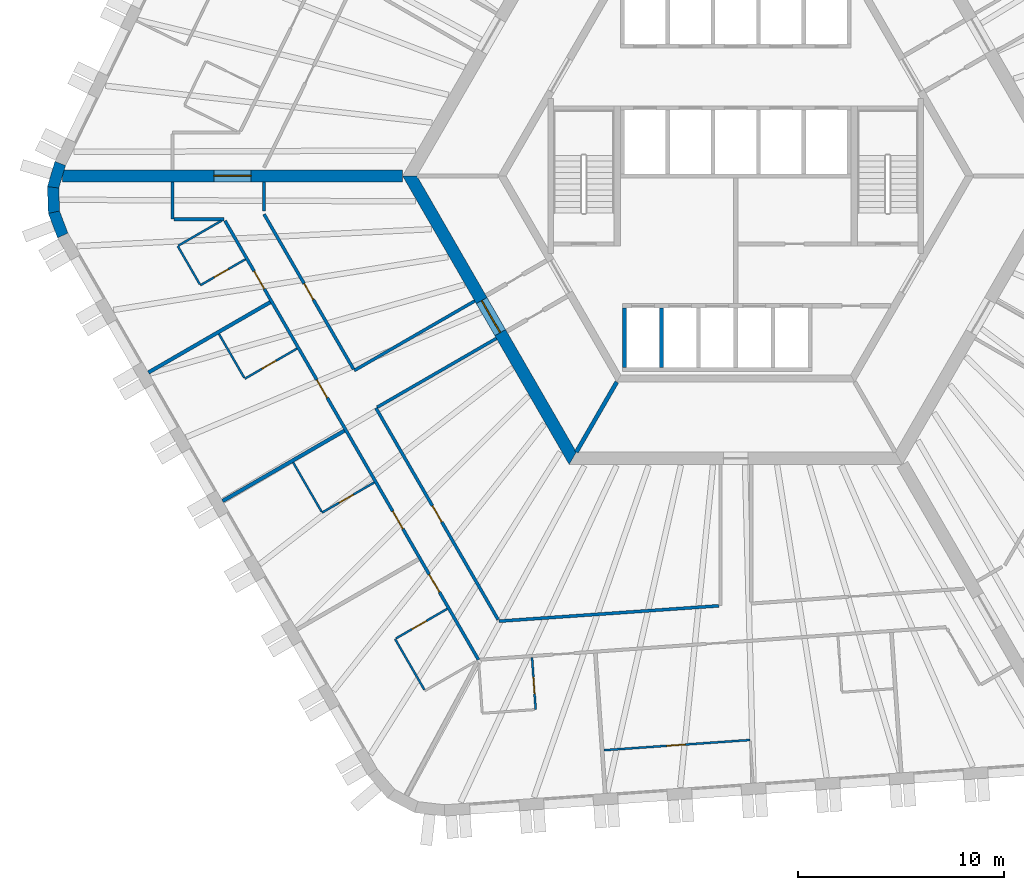
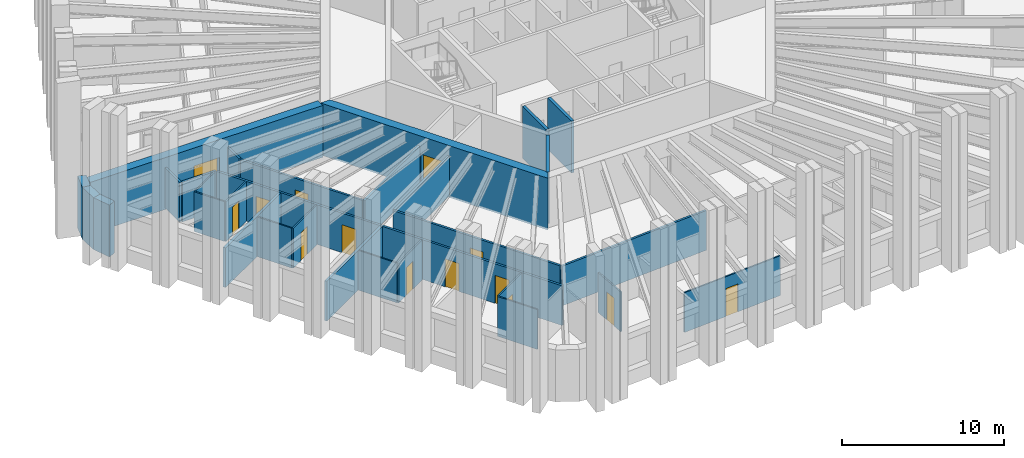
# One storey, part 3 of 12: 30 walls, 14 doors, 14 openings.
"""IFC4 building model written with IfcOpenShell, lengths in metres."""

from ifc_helpers import new_model, si_unit, direction, frame, frame_2d, origin, place, context, subcontext, project, spatial, polyline, rectangle, outline, extrude, material, layer, layer_set, type_object, element, fill, save


model = new_model("IFC4")

# Units and contexts
model_context = context("Model", 3, precision=1e-05, world=origin(), true_north=direction((0.0, 1.0)))
body_context = subcontext(model_context, "Body", "Model", "MODEL_VIEW")
ifc_project = project(units=[si_unit("LENGTHUNIT", "METRE"), si_unit("AREAUNIT", "SQUARE_METRE"), si_unit("VOLUMEUNIT", "CUBIC_METRE"), si_unit("PLANEANGLEUNIT", "RADIAN"), si_unit("MASSUNIT", "GRAM", prefix="KILO")], contexts=[model_context])

# Site, building, storey
site_placement = place(None, origin())
site = spatial("IfcSite", under=ifc_project, at=site_placement, CompositionType="ELEMENT")
building_placement = place(site_placement, origin())
building = spatial("IfcBuilding", under=site, at=building_placement, Name="Tarnside Tower", CompositionType="ELEMENT")
storey_placement = place(building_placement, frame((0.0, 0.0, 49.199951171875)))
storey = spatial("IfcBuildingStorey", under=building, at=storey_placement, Name="L09", CompositionType="ELEMENT", Elevation=49.199951171875)

# Wall, opening, door
ifc_material_1 = material(Name="Gypsum board partition on steel studs", Category="steel")
ifc_layer_1 = layer(ifc_material_1, 0.10009765625)
ifc_layer_set_1 = layer_set([ifc_layer_1], Name="Bathroom wall 100")
wall_type_1 = type_object("IfcWallType", Name="Bathroom wall 100", PredefinedType="PARTITIONING", material=ifc_layer_set_1)
wall_1_placement = place(storey_placement, frame((-23.791015625, -4.042724609375, 0.0), z_axis=(0.0, 0.0, 1.0), x_axis=(-0.866039067339, -0.499976333282, 0.0)))
wall_1 = element("IfcWall", 1, at=wall_1_placement, inside=storey, type_object=wall_type_1, Name="Bathroom wall 02101", PredefinedType="PARTITIONING", context=body_context, shape_type="SweptSolid", body=[
    extrude(rectangle(XDim=2.52490234375, YDim=0.10009765625, at=frame_2d((1.262451171875, 0.0))), origin(), (0.0, 0.0, 1.0), 2.98779296875),
])
opening_1_placement = place(wall_1_placement, frame((0.955078125, 0.0, 0.0)))
opening_1 = element("IfcOpeningElement", 2, at=opening_1_placement, cuts=wall_1, Name="Opening D-B1", PredefinedType="OPENING", context=body_context, shape_type="SweptSolid", body=[
    extrude(rectangle(XDim=0.800048828125, YDim=2.10009765625, at=frame_2d((0.39990234375, 1.050048828125))), frame((0.0, 0.06005859375, 0.0), z_axis=(0.0, -1.0, 0.0), x_axis=(1.0, 0.0, 0.0)), (0.0, 0.0, 1.0), 0.1201171875),
])
ifc_material_2 = material(Name="Timber door leaf", Category="wood")
door_type_1 = type_object("IfcDoorType", Name="Bathroom door 800", OperationType="NOTDEFINED", PredefinedType="DOOR", material=ifc_material_2)
door_1_placement = place(opening_1_placement, origin())
door_1 = element("IfcDoor", 3, at=door_1_placement, inside=storey, type_object=door_type_1, Name="Bathroom door 02015", OperationType="SINGLE_SWING_LEFT", OverallHeight=2.10009765625, OverallWidth=0.800048828125, PredefinedType="DOOR", context=body_context, shape_type="SweptSolid", body=[
    extrude(rectangle(XDim=0.800048828125, YDim=2.10009765625, at=frame_2d((0.39990234375, 1.050048828125))), frame((0.0, 0.02490234375, 0.0), z_axis=(0.0, -1.0, 0.0), x_axis=(1.0, 0.0, 0.0)), (0.0, 0.0, 1.0), 0.050048828125),
])
fill(opening_1, door_1)

# Walls
wall_2_placement = place(storey_placement, frame((-26.002685546875, -5.261962890625, 0.0), z_axis=(0.0, 0.0, 1.0), x_axis=(-0.499961633463, 0.866047553582, 0.0)))
element("IfcWall", 4, at=wall_2_placement, inside=storey, type_object=wall_type_1, Name="Bathroom wall 02102", PredefinedType="PARTITIONING", context=body_context, shape_type="SweptSolid", body=[
    extrude(rectangle(XDim=2.150146484375, YDim=0.10009765625, at=frame_2d((1.0751953125, 0.0))), origin(), (0.0, 0.0, 1.0), 2.98779296875),
])
wall_3_placement = place(storey_placement, frame((-27.034423828125, -3.375, 0.0), z_axis=(0.0, 0.0, 1.0), x_axis=(0.866024647952, 0.500001309137, 0.0)))
element("IfcWall", 5, at=wall_3_placement, inside=storey, type_object=wall_type_1, Name="Bathroom wall 02103", PredefinedType="PARTITIONING", context=body_context, shape_type="SweptSolid", body=[
    extrude(rectangle(XDim=2.39990234375, YDim=0.10009765625, at=frame_2d((1.199951171875, 0.0))), origin(), (0.0, 0.0, 1.0), 2.98779296875),
])

# Wall, opening, door
wall_4_placement = place(storey_placement, frame((-21.288330078125, -8.377685546875, 0.0), z_axis=(0.0, 0.0, 1.0), x_axis=(-0.866046596414, -0.499963291492, 0.0)))
wall_4 = element("IfcWall", 6, at=wall_4_placement, inside=storey, type_object=wall_type_1, Name="Bathroom wall 02106", PredefinedType="PARTITIONING", context=body_context, shape_type="SweptSolid", body=[
    extrude(rectangle(XDim=2.925048828125, YDim=0.10009765625, at=frame_2d((1.46240234375, 0.0))), origin(), (0.0, 0.0, 1.0), 2.98779296875),
])
opening_2_placement = place(wall_4_placement, frame((1.175048828125, 0.0, 0.0)))
opening_2 = element("IfcOpeningElement", 7, at=opening_2_placement, cuts=wall_4, Name="Opening D-B1", PredefinedType="OPENING", context=body_context, shape_type="SweptSolid", body=[
    extrude(rectangle(XDim=0.800048828125, YDim=2.10009765625, at=frame_2d((0.39990234375, 1.050048828125))), frame((0.0, 0.06005859375, 0.0), z_axis=(0.0, -1.0, 0.0), x_axis=(1.0, 0.0, 0.0)), (0.0, 0.0, 1.0), 0.1201171875),
])
door_2_placement = place(opening_2_placement, origin())
door_2 = element("IfcDoor", 8, at=door_2_placement, inside=storey, type_object=door_type_1, Name="Bathroom door 02017", OperationType="SINGLE_SWING_LEFT", OverallHeight=2.10009765625, OverallWidth=0.800048828125, PredefinedType="DOOR", context=body_context, shape_type="SweptSolid", body=[
    extrude(rectangle(XDim=0.800048828125, YDim=2.10009765625, at=frame_2d((0.39990234375, 1.050048828125))), frame((0.0, 0.02490234375, 0.0), z_axis=(0.0, -1.0, 0.0), x_axis=(1.0, 0.0, 0.0)), (0.0, 0.0, 1.0), 0.050048828125),
])
fill(opening_2, door_2)

# Wall
wall_5_placement = place(storey_placement, frame((-23.846435546875, -9.796875, 0.0), z_axis=(0.0, 0.0, 1.0), x_axis=(-0.499960120811, 0.86604842682, 0.0)))
element("IfcWall", 9, at=wall_5_placement, inside=storey, type_object=wall_type_1, Name="Bathroom wall 02107", PredefinedType="PARTITIONING", context=body_context, shape_type="SweptSolid", body=[
    extrude(rectangle(XDim=2.460205078125, YDim=0.10009765625, at=frame_2d((1.22998046875, 0.0))), origin(), (0.0, 0.0, 1.0), 2.98779296875),
])

# Wall, opening, door
wall_6_placement = place(storey_placement, frame((-17.538330078125, -14.872802734375, 0.0), z_axis=(0.0, 0.0, 1.0), x_axis=(-0.866046596414, -0.499963291492, 0.0)))
wall_6 = element("IfcWall", 10, at=wall_6_placement, inside=storey, type_object=wall_type_1, Name="Bathroom wall 02110", PredefinedType="PARTITIONING", context=body_context, shape_type="SweptSolid", body=[
    extrude(rectangle(XDim=2.925048828125, YDim=0.10009765625, at=frame_2d((1.46240234375, 0.0))), origin(), (0.0, 0.0, 1.0), 2.98779296875),
])
opening_3_placement = place(wall_6_placement, frame((1.175048828125, 0.0, 0.0)))
opening_3 = element("IfcOpeningElement", 11, at=opening_3_placement, cuts=wall_6, Name="Opening D-B1", PredefinedType="OPENING", context=body_context, shape_type="SweptSolid", body=[
    extrude(rectangle(XDim=0.800048828125, YDim=2.10009765625, at=frame_2d((0.39990234375, 1.050048828125))), frame((0.0, 0.06005859375, 0.0), z_axis=(0.0, -1.0, 0.0), x_axis=(1.0, 0.0, 0.0)), (0.0, 0.0, 1.0), 0.1201171875),
])
door_3_placement = place(opening_3_placement, origin())
door_3 = element("IfcDoor", 12, at=door_3_placement, inside=storey, type_object=door_type_1, Name="Bathroom door 02019", OperationType="SINGLE_SWING_LEFT", OverallHeight=2.10009765625, OverallWidth=0.800048828125, PredefinedType="DOOR", context=body_context, shape_type="SweptSolid", body=[
    extrude(rectangle(XDim=0.800048828125, YDim=2.10009765625, at=frame_2d((0.39990234375, 1.050048828125))), frame((0.0, 0.02490234375, 0.0), z_axis=(0.0, -1.0, 0.0), x_axis=(1.0, 0.0, 0.0)), (0.0, 0.0, 1.0), 0.050048828125),
])
fill(opening_3, door_3)

# Walls
wall_7_placement = place(storey_placement, frame((-20.096435546875, -16.2919921875, 0.0), z_axis=(0.0, 0.0, 1.0), x_axis=(-0.499982807329, 0.86603532975, 0.0)))
element("IfcWall", 13, at=wall_7_placement, inside=storey, type_object=wall_type_1, Name="Bathroom wall 02111", PredefinedType="PARTITIONING", context=body_context, shape_type="SweptSolid", body=[
    extrude(rectangle(XDim=2.759765625, YDim=0.10009765625, at=frame_2d((1.3798828125, 0.0))), origin(), (0.0, 0.0, 1.0), 2.98779296875),
])
wall_8_placement = place(storey_placement, frame((-15.1064453125, -24.9345703125, 0.0), z_axis=(0.0, 0.0, 1.0), x_axis=(-0.500036373335, 0.866004402611, 0.0)))
element("IfcWall", 14, at=wall_8_placement, inside=storey, type_object=wall_type_1, Name="Bathroom wall 02114", PredefinedType="PARTITIONING", context=body_context, shape_type="SweptSolid", body=[
    extrude(rectangle(XDim=2.849853515625, YDim=0.10009765625, at=frame_2d((1.4248046875, 0.0))), origin(), (0.0, 0.0, 1.0), 2.98779296875),
])

# Wall, opening, door
wall_9_placement = place(storey_placement, frame((-16.48828125, -22.44140625, 0.0), z_axis=(0.0, 0.0, 1.0), x_axis=(0.866018712932, 0.500011588718, 0.0)))
wall_9 = element("IfcWall", 15, at=wall_9_placement, inside=storey, type_object=wall_type_1, Name="Bathroom wall 02115", PredefinedType="PARTITIONING", context=body_context, shape_type="SweptSolid", body=[
    extrude(rectangle(XDim=2.875, YDim=0.10009765625, at=frame_2d((1.4375, 0.0))), origin(), (0.0, 0.0, 1.0), 2.98779296875),
])
opening_4_placement = place(wall_9_placement, frame((0.89990234375, 0.0, 0.0)))
opening_4 = element("IfcOpeningElement", 16, at=opening_4_placement, cuts=wall_9, Name="Opening D-B1", PredefinedType="OPENING", context=body_context, shape_type="SweptSolid", body=[
    extrude(rectangle(XDim=0.800048828125, YDim=2.10009765625, at=frame_2d((0.39990234375, 1.050048828125))), frame((0.0, 0.06005859375, 0.0), z_axis=(0.0, -1.0, 0.0), x_axis=(1.0, 0.0, 0.0)), (0.0, 0.0, 1.0), 0.1201171875),
])
door_4_placement = place(opening_4_placement, origin())
door_4 = element("IfcDoor", 17, at=door_4_placement, inside=storey, type_object=door_type_1, Name="Bathroom door 02021", OperationType="SINGLE_SWING_RIGHT", OverallHeight=2.10009765625, OverallWidth=0.800048828125, PredefinedType="DOOR", context=body_context, shape_type="SweptSolid", body=[
    extrude(rectangle(XDim=0.800048828125, YDim=2.10009765625, at=frame_2d((0.39990234375, 1.050048828125))), frame((0.0, 0.02490234375, 0.0), z_axis=(0.0, -1.0, 0.0), x_axis=(1.0, 0.0, 0.0)), (0.0, 0.0, 1.0), 0.050048828125),
])
fill(opening_4, door_4)

wall_10_placement = place(storey_placement, frame((-9.884521484375, -23.371337890625, 0.0), z_axis=(0.0, 0.0, 1.0), x_axis=(0.069707901556, -0.99756744557, 0.0)))
wall_10 = element("IfcWall", 18, at=wall_10_placement, inside=storey, type_object=wall_type_1, Name="Bathroom wall 02117", PredefinedType="PARTITIONING", context=body_context, shape_type="SweptSolid", body=[
    extrude(rectangle(XDim=2.525146484375, YDim=0.10009765625, at=frame_2d((1.2626953125, 0.0))), origin(), (0.0, 0.0, 1.0), 2.98779296875),
])
opening_5_placement = place(wall_10_placement, frame((0.955078125, 0.0, 0.0)))
opening_5 = element("IfcOpeningElement", 19, at=opening_5_placement, cuts=wall_10, Name="Opening D-B1", PredefinedType="OPENING", context=body_context, shape_type="SweptSolid", body=[
    extrude(rectangle(XDim=0.800048828125, YDim=2.10009765625, at=frame_2d((0.39990234375, 1.050048828125))), frame((0.0, 0.06005859375, 0.0), z_axis=(0.0, -1.0, 0.0), x_axis=(1.0, 0.0, 0.0)), (0.0, 0.0, 1.0), 0.1201171875),
])
door_5_placement = place(opening_5_placement, origin())
door_5 = element("IfcDoor", 20, at=door_5_placement, inside=storey, type_object=door_type_1, Name="Bathroom door 02023", OperationType="SINGLE_SWING_LEFT", OverallHeight=2.10009765625, OverallWidth=0.800048828125, PredefinedType="DOOR", context=body_context, shape_type="SweptSolid", body=[
    extrude(rectangle(XDim=0.800048828125, YDim=2.10009765625, at=frame_2d((0.39990234375, 1.050048828125))), frame((0.0, 0.02490234375, 0.0), z_axis=(0.0, -1.0, 0.0), x_axis=(1.0, 0.0, 0.0)), (0.0, 0.0, 1.0), 0.050048828125),
])
fill(opening_5, door_5)

ifc_material_3 = material(Name="Concrete C80/95", Category="concrete")
ifc_layer_2 = layer(ifc_material_3, 0.60009765625)
ifc_layer_set_2 = layer_set([ifc_layer_2], Name="Core wall Z1 600 C80/95")
wall_type_2 = type_object("IfcWallType", Name="Core wall Z1 600 C80/95", PredefinedType="SHEAR", material=ifc_layer_set_2)
wall_11_placement = place(storey_placement, frame((-15.8193359375, 0.0, -0.14990234375), z_axis=(0.0, 0.0, 1.0), x_axis=(0.499999880136, -0.866025472988, 0.0)))
wall_11 = element("IfcWall", 21, at=wall_11_placement, inside=storey, type_object=wall_type_2, Name="L09 core wall face 3", PredefinedType="SHEAR", context=body_context, shape_type="SweptSolid", body=[
    extrude(outline(polyline([(-0.17333984375, -0.300048828125), (15.99267578125, -0.300048828125), (15.64599609375, 0.300048828125), (0.17333984375, 0.300048828125), (-0.17333984375, -0.300048828125)])), origin(), (0.0, 0.0, 1.0), 3.89990234375),
])
opening_6_placement = place(wall_11_placement, frame((6.980712890625, 0.0, 0.14990234375)))
opening_6 = element("IfcOpeningElement", 22, at=opening_6_placement, cuts=wall_11, Name="Opening CD-FFL", PredefinedType="OPENING", context=body_context, shape_type="SweptSolid", body=[
    extrude(rectangle(XDim=1.800048828125, YDim=2.39990234375, at=frame_2d((0.89990234375, 1.199951171875))), frame((0.0, 0.31005859375, 0.0), z_axis=(0.0, -1.0, 0.0), x_axis=(1.0, 0.0, 0.0)), (0.0, 0.0, 1.0), 0.6201171875),
])
ifc_material_4 = material(Name="Steel fire door", Category="steel")
door_type_2 = type_object("IfcDoorType", Name="Firefighting lobby double door FD60S 1800x2400", OperationType="NOTDEFINED", PredefinedType="DOOR", material=ifc_material_4)
door_6_placement = place(opening_6_placement, origin())
door_6 = element("IfcDoor", 23, at=door_6_placement, inside=storey, type_object=door_type_2, Name="L09 core door P3", OperationType="DOUBLE_DOOR_SINGLE_SWING", OverallHeight=2.39990234375, OverallWidth=1.800048828125, PredefinedType="DOOR", context=body_context, shape_type="SweptSolid", body=[
    extrude(rectangle(XDim=1.800048828125, YDim=2.39990234375, at=frame_2d((0.89990234375, 1.199951171875))), frame((0.0, 0.02490234375, 0.0), z_axis=(0.0, -1.0, 0.0), x_axis=(1.0, 0.0, 0.0)), (0.0, 0.0, 1.0), 0.050048828125),
])
fill(opening_6, door_6)

wall_12_placement = place(storey_placement, frame((-16.165771484375, 0.0, -0.14990234375), z_axis=(0.0, 0.0, 1.0), x_axis=(-1.0, 0.0, 0.0)))
wall_12 = element("IfcWall", 24, at=wall_12_placement, inside=storey, type_object=wall_type_2, Name="L09 spine wall 2", PredefinedType="SHEAR", context=body_context, shape_type="SweptSolid", body=[
    extrude(rectangle(XDim=16.509033203125, YDim=0.60009765625, at=frame_2d((8.25439453125, 0.0))), origin(), (0.0, 0.0, 1.0), 3.89990234375),
])
opening_7_placement = place(wall_12_placement, frame((7.3544921875, 0.0, 0.14990234375)))
opening_7 = element("IfcOpeningElement", 25, at=opening_7_placement, cuts=wall_12, Name="Opening CD-SPN", PredefinedType="OPENING", context=body_context, shape_type="SweptSolid", body=[
    extrude(rectangle(XDim=1.800048828125, YDim=2.39990234375, at=frame_2d((0.89990234375, 1.199951171875))), frame((0.0, 0.31005859375, 0.0), z_axis=(0.0, -1.0, 0.0), x_axis=(1.0, 0.0, 0.0)), (0.0, 0.0, 1.0), 0.6201171875),
])
door_type_3 = type_object("IfcDoorType", Name="Spine passage double door FD60 1800x2400", OperationType="NOTDEFINED", PredefinedType="DOOR", material=ifc_material_4)
door_7_placement = place(opening_7_placement, origin())
door_7 = element("IfcDoor", 26, at=door_7_placement, inside=storey, type_object=door_type_3, Name="L09 spine passage door 2", OperationType="DOUBLE_DOOR_SINGLE_SWING", OverallHeight=2.39990234375, OverallWidth=1.800048828125, PredefinedType="DOOR", context=body_context, shape_type="SweptSolid", body=[
    extrude(rectangle(XDim=1.800048828125, YDim=2.39990234375, at=frame_2d((0.89990234375, 1.199951171875))), frame((0.0, 0.02490234375, 0.0), z_axis=(0.0, -1.0, 0.0), x_axis=(1.0, 0.0, 0.0)), (0.0, 0.0, 1.0), 0.050048828125),
])
fill(opening_7, door_7)

# Walls
ifc_layer_3 = layer(ifc_material_1, 0.14990234375)
ifc_layer_set_3 = layer_set([ifc_layer_3], Name="Corridor wall 150 EI 60")
wall_type_3 = type_object("IfcWallType", Name="Corridor wall 150 EI 60", PredefinedType="PARTITIONING", material=ifc_layer_set_3)
wall_13_placement = place(storey_placement, frame((-27.3203125, -0.300048828125, 0.0), z_axis=(0.0, 0.0, 1.0), x_axis=(0.0, -1.0, 0.0)))
element("IfcWall", 27, at=wall_13_placement, inside=storey, type_object=wall_type_3, Name="Corridor wall 02022", PredefinedType="PARTITIONING", context=body_context, shape_type="SweptSolid", body=[
    extrude(rectangle(XDim=1.800048828125, YDim=0.14990234375, at=frame_2d((0.89990234375, 0.0))), origin(), (0.0, 0.0, 1.0), 2.98779296875),
])
wall_14_placement = place(storey_placement, frame((-27.245361328125, -2.10009765625, 0.0), z_axis=(0.0, 0.0, 1.0), x_axis=(1.0, 0.0, 0.0)))
element("IfcWall", 28, at=wall_14_placement, inside=storey, type_object=wall_type_3, Name="Corridor wall 02023", PredefinedType="PARTITIONING", context=body_context, shape_type="SweptSolid", body=[
    extrude(rectangle(XDim=2.419189453125, YDim=0.14990234375, at=frame_2d((1.20947265625, 0.0))), origin(), (0.0, 0.0, 1.0), 2.98779296875),
])

# Wall, openings, doors
wall_15_placement = place(storey_placement, frame((-24.78271484375, -2.175048828125, 0.0), z_axis=(0.0, 0.0, 1.0), x_axis=(0.500001098408, -0.866024769617, 0.0)))
wall_15 = element("IfcWall", 29, at=wall_15_placement, inside=storey, type_object=wall_type_3, Name="Corridor wall 02024", PredefinedType="PARTITIONING", context=body_context, shape_type="SweptSolid", body=[
    extrude(rectangle(XDim=24.5986328125, YDim=0.14990234375, at=frame_2d((12.29931640625, 0.0))), origin(), (0.0, 0.0, 1.0), 2.98779296875),
])
opening_8_placement = place(wall_15_placement, frame((2.816162109375, 0.0, 0.0)))
opening_8 = element("IfcOpeningElement", 30, at=opening_8_placement, cuts=wall_15, Name="Opening D-E1", PredefinedType="OPENING", context=body_context, shape_type="SweptSolid", body=[
    extrude(rectangle(XDim=1.0, YDim=2.10009765625, at=frame_2d((0.5, 1.050048828125))), frame((0.0, 0.0849609375, 0.0), z_axis=(0.0, -1.0, 0.0), x_axis=(1.0, 0.0, 0.0)), (0.0, 0.0, 1.0), 0.169921875),
])
opening_9_placement = place(wall_15_placement, frame((8.9189453125, 0.0, 0.0)))
opening_9 = element("IfcOpeningElement", 31, at=opening_9_placement, cuts=wall_15, Name="Opening D-E1", PredefinedType="OPENING", context=body_context, shape_type="SweptSolid", body=[
    extrude(rectangle(XDim=1.0, YDim=2.10009765625, at=frame_2d((0.5, 1.050048828125))), frame((0.0, 0.0849609375, 0.0), z_axis=(0.0, -1.0, 0.0), x_axis=(1.0, 0.0, 0.0)), (0.0, 0.0, 1.0), 0.169921875),
])
opening_10_placement = place(wall_15_placement, frame((16.268798828125, 0.0, 0.0)))
opening_10 = element("IfcOpeningElement", 32, at=opening_10_placement, cuts=wall_15, Name="Opening D-E1", PredefinedType="OPENING", context=body_context, shape_type="SweptSolid", body=[
    extrude(rectangle(XDim=1.0, YDim=2.10009765625, at=frame_2d((0.5, 1.050048828125))), frame((0.0, 0.0849609375, 0.0), z_axis=(0.0, -1.0, 0.0), x_axis=(1.0, 0.0, 0.0)), (0.0, 0.0, 1.0), 0.169921875),
])
opening_11_placement = place(wall_15_placement, frame((19.80859375, 0.0, 0.0)))
opening_11 = element("IfcOpeningElement", 33, at=opening_11_placement, cuts=wall_15, Name="Opening D-E1", PredefinedType="OPENING", context=body_context, shape_type="SweptSolid", body=[
    extrude(rectangle(XDim=1.0, YDim=2.10009765625, at=frame_2d((0.5, 1.050048828125))), frame((0.0, 0.0849609375, 0.0), z_axis=(0.0, -1.0, 0.0), x_axis=(1.0, 0.0, 0.0)), (0.0, 0.0, 1.0), 0.169921875),
])
door_type_4 = type_object("IfcDoorType", Name="Unit entrance door 1000 FD30S", OperationType="NOTDEFINED", PredefinedType="DOOR", material=ifc_material_2)
door_8_placement = place(opening_8_placement, origin())
door_8 = element("IfcDoor", 34, at=door_8_placement, inside=storey, type_object=door_type_4, Name="Unit door 02014", OperationType="SINGLE_SWING_RIGHT", OverallHeight=2.10009765625, OverallWidth=1.0, PredefinedType="DOOR", context=body_context, shape_type="SweptSolid", body=[
    extrude(rectangle(XDim=1.0, YDim=2.10009765625, at=frame_2d((0.5, 1.050048828125))), frame((0.0, 0.02490234375, 0.0), z_axis=(0.0, -1.0, 0.0), x_axis=(1.0, 0.0, 0.0)), (0.0, 0.0, 1.0), 0.050048828125),
])
fill(opening_8, door_8)
door_9_placement = place(opening_9_placement, origin())
door_9 = element("IfcDoor", 35, at=door_9_placement, inside=storey, type_object=door_type_4, Name="Unit door 02016", OperationType="SINGLE_SWING_LEFT", OverallHeight=2.10009765625, OverallWidth=1.0, PredefinedType="DOOR", context=body_context, shape_type="SweptSolid", body=[
    extrude(rectangle(XDim=1.0, YDim=2.10009765625, at=frame_2d((0.5, 1.050048828125))), frame((0.0, 0.02490234375, 0.0), z_axis=(0.0, -1.0, 0.0), x_axis=(1.0, 0.0, 0.0)), (0.0, 0.0, 1.0), 0.050048828125),
])
fill(opening_9, door_9)
door_10_placement = place(opening_10_placement, origin())
door_10 = element("IfcDoor", 36, at=door_10_placement, inside=storey, type_object=door_type_4, Name="Unit door 02018", OperationType="SINGLE_SWING_LEFT", OverallHeight=2.10009765625, OverallWidth=1.0, PredefinedType="DOOR", context=body_context, shape_type="SweptSolid", body=[
    extrude(rectangle(XDim=1.0, YDim=2.10009765625, at=frame_2d((0.5, 1.050048828125))), frame((0.0, 0.02490234375, 0.0), z_axis=(0.0, -1.0, 0.0), x_axis=(1.0, 0.0, 0.0)), (0.0, 0.0, 1.0), 0.050048828125),
])
fill(opening_10, door_10)
door_11_placement = place(opening_11_placement, origin())
door_11 = element("IfcDoor", 37, at=door_11_placement, inside=storey, type_object=door_type_4, Name="Unit door 02020", OperationType="SINGLE_SWING_RIGHT", OverallHeight=2.10009765625, OverallWidth=1.0, PredefinedType="DOOR", context=body_context, shape_type="SweptSolid", body=[
    extrude(rectangle(XDim=1.0, YDim=2.10009765625, at=frame_2d((0.5, 1.050048828125))), frame((0.0, 0.02490234375, 0.0), z_axis=(0.0, -1.0, 0.0), x_axis=(1.0, 0.0, 0.0)), (0.0, 0.0, 1.0), 0.050048828125),
])
fill(opening_11, door_11)

# Wall
wall_16_placement = place(storey_placement, frame((-12.663818359375, -6.065673828125, 0.0), z_axis=(0.0, 0.0, 1.0), x_axis=(-0.866026575979, -0.499997969693, 0.0)))
element("IfcWall", 38, at=wall_16_placement, inside=storey, type_object=wall_type_3, Name="Corridor wall 02039", PredefinedType="PARTITIONING", context=body_context, shape_type="SweptSolid", body=[
    extrude(rectangle(XDim=6.75, YDim=0.14990234375, at=frame_2d((3.375, 0.0))), origin(), (0.0, 0.0, 1.0), 2.98779296875),
])

# Wall, opening, door
wall_17_placement = place(storey_placement, frame((-18.546875, -9.375732421875, 0.0), z_axis=(0.0, 0.0, 1.0), x_axis=(-0.500002473902, 0.866023975472, 0.0)))
wall_17 = element("IfcWall", 39, at=wall_17_placement, inside=storey, type_object=wall_type_3, Name="Corridor wall 02040", PredefinedType="PARTITIONING", context=body_context, shape_type="SweptSolid", body=[
    extrude(rectangle(XDim=8.67919921875, YDim=0.14990234375, at=frame_2d((4.339599609375, 0.0))), origin(), (0.0, 0.0, 1.0), 2.98779296875),
])
opening_12_placement = place(wall_17_placement, frame((3.8896484375, 0.0, 0.0)))
opening_12 = element("IfcOpeningElement", 40, at=opening_12_placement, cuts=wall_17, Name="Opening D-S1", PredefinedType="OPENING", context=body_context, shape_type="SweptSolid", body=[
    extrude(rectangle(XDim=0.89990234375, YDim=2.10009765625, at=frame_2d((0.449951171875, 1.050048828125))), frame((0.0, 0.0849609375, 0.0), z_axis=(0.0, -1.0, 0.0), x_axis=(1.0, 0.0, 0.0)), (0.0, 0.0, 1.0), 0.169921875),
])
door_type_5 = type_object("IfcDoorType", Name="Service room door 900 FD30S", OperationType="NOTDEFINED", PredefinedType="DOOR", material=ifc_material_2)
door_12_placement = place(opening_12_placement, origin())
door_12 = element("IfcDoor", 41, at=door_12_placement, inside=storey, type_object=door_type_5, Name="Service door 02044", OperationType="SINGLE_SWING_RIGHT", OverallHeight=2.10009765625, OverallWidth=0.89990234375, PredefinedType="DOOR", context=body_context, shape_type="SweptSolid", body=[
    extrude(rectangle(XDim=0.89990234375, YDim=2.10009765625, at=frame_2d((0.449951171875, 1.050048828125))), frame((0.0, 0.02490234375, 0.0), z_axis=(0.0, -1.0, 0.0), x_axis=(1.0, 0.0, 0.0)), (0.0, 0.0, 1.0), 0.050048828125),
])
fill(opening_12, door_12)

# Walls
wall_18_placement = place(storey_placement, frame((-22.886474609375, -1.70947265625, 0.0), z_axis=(0.0, 0.0, 1.0), x_axis=(0.0, 1.0, 0.0)))
element("IfcWall", 42, at=wall_18_placement, inside=storey, type_object=wall_type_3, Name="Corridor wall 02041", PredefinedType="PARTITIONING", context=body_context, shape_type="SweptSolid", body=[
    extrude(rectangle(XDim=1.409423828125, YDim=0.14990234375, at=frame_2d((0.70458984375, 0.0))), origin(), (0.0, 0.0, 1.0), 2.98779296875),
])
wall_19_placement = place(storey_placement, frame((-0.824951171875, -20.8583984375, 0.0), z_axis=(0.0, 0.0, 1.0), x_axis=(-0.997563801863, -0.069760025895, 0.0)))
element("IfcWall", 43, at=wall_19_placement, inside=storey, type_object=wall_type_3, Name="Corridor wall 02043", PredefinedType="PARTITIONING", context=body_context, shape_type="SweptSolid", body=[
    extrude(rectangle(XDim=10.688232421875, YDim=0.14990234375, at=frame_2d((5.34423828125, 0.0))), origin(), (0.0, 0.0, 1.0), 2.98779296875),
])

# Wall, opening, door
wall_20_placement = place(storey_placement, frame((-11.52880859375, -21.53173828125, 0.0), z_axis=(0.0, 0.0, 1.0), x_axis=(-0.499990893337, 0.866030661455, 0.0)))
wall_20 = element("IfcWall", 44, at=wall_20_placement, inside=storey, type_object=wall_type_3, Name="Corridor wall 02044", PredefinedType="PARTITIONING", context=body_context, shape_type="SweptSolid", body=[
    extrude(rectangle(XDim=11.861572265625, YDim=0.14990234375, at=frame_2d((5.9306640625, 0.0))), origin(), (0.0, 0.0, 1.0), 2.98779296875),
])
opening_13_placement = place(wall_20_placement, frame((5.480712890625, 0.0, 0.0)))
opening_13 = element("IfcOpeningElement", 45, at=opening_13_placement, cuts=wall_20, Name="Opening D-S1", PredefinedType="OPENING", context=body_context, shape_type="SweptSolid", body=[
    extrude(rectangle(XDim=0.89990234375, YDim=2.10009765625, at=frame_2d((0.449951171875, 1.050048828125))), frame((0.0, 0.0849609375, 0.0), z_axis=(0.0, -1.0, 0.0), x_axis=(1.0, 0.0, 0.0)), (0.0, 0.0, 1.0), 0.169921875),
])
door_13_placement = place(opening_13_placement, origin())
door_13 = element("IfcDoor", 46, at=door_13_placement, inside=storey, type_object=door_type_5, Name="Service door 02045", OperationType="SINGLE_SWING_RIGHT", OverallHeight=2.10009765625, OverallWidth=0.89990234375, PredefinedType="DOOR", context=body_context, shape_type="SweptSolid", body=[
    extrude(rectangle(XDim=0.89990234375, YDim=2.10009765625, at=frame_2d((0.449951171875, 1.050048828125))), frame((0.0, 0.02490234375, 0.0), z_axis=(0.0, -1.0, 0.0), x_axis=(1.0, 0.0, 0.0)), (0.0, 0.0, 1.0), 0.050048828125),
])
fill(opening_13, door_13)

# Walls
wall_21_placement = place(storey_placement, frame((-17.39453125, -11.221923828125, 0.0), z_axis=(0.0, 0.0, 1.0), x_axis=(0.86601747984, 0.500013724423, 0.0)))
element("IfcWall", 47, at=wall_21_placement, inside=storey, type_object=wall_type_3, Name="Corridor wall 02045", PredefinedType="PARTITIONING", context=body_context, shape_type="SweptSolid", body=[
    extrude(rectangle(XDim=6.675048828125, YDim=0.14990234375, at=frame_2d((3.33740234375, 0.0))), origin(), (0.0, 0.0, 1.0), 2.98779296875),
])
ifc_layer_4 = layer(ifc_material_1, 0.179931640625)
ifc_layer_set_4 = layer_set([ifc_layer_4], Name="Demising wall 180 EI 60")
wall_type_4 = type_object("IfcWallType", Name="Demising wall 180 EI 60", PredefinedType="PARTITIONING", material=ifc_layer_set_4)
for number, where, z_axis, x_axis, name in (
    (48, (-28.4990234375, -9.538330078125, 0.0), (0.0, 0.0, 1.0), (0.866035472144, 0.499982560684, 0.0), "Demising wall 02104"),
    (49, (-24.89892578125, -15.773681640625, 0.0), (0.0, 0.0, 1.0), (0.866035472144, 0.499982560684, 0.0), "Demising wall 02108"),
):
    element("IfcWall", number, at=place(storey_placement, frame(where, z_axis=z_axis, x_axis=x_axis)), inside=storey, type_object=wall_type_4, Name=name, PredefinedType="PARTITIONING", context=body_context, shape_type="SweptSolid", body=[
        extrude(rectangle(XDim=6.824951171875, YDim=0.179931640625, at=frame_2d((3.41259765625, 0.0))), origin(), (0.0, 0.0, 1.0), 2.98779296875),
    ])
ifc_material_5 = material(Name="Concrete C40/50", Category="concrete")
ifc_layer_5 = layer(ifc_material_5, 0.199951171875)
ifc_layer_set_5 = layer_set([ifc_layer_5], Name="Lift shaft wall 200 C40/50")
wall_type_5 = type_object("IfcWallType", Name="Lift shaft wall 200 C40/50", PredefinedType="SHEAR", material=ifc_layer_set_5)
for number, where, z_axis, x_axis, name in (
    (50, (-5.39990234375, -9.300048828125, -0.25), (0.0, 0.0, 1.0), (0.0, 1.0, 0.0), "L09 lift shaft partition R41"),
    (51, (-3.60009765625, -9.300048828125, -0.25), (0.0, 0.0, 1.0), (0.0, 1.0, 0.0), "L09 lift shaft partition R42"),
):
    element("IfcWall", number, at=place(storey_placement, frame(where, z_axis=z_axis, x_axis=x_axis)), inside=storey, type_object=wall_type_5, Name=name, PredefinedType="SHEAR", context=body_context, shape_type="SweptSolid", body=[
        extrude(rectangle(XDim=2.900146484375, YDim=0.199951171875, at=frame_2d((1.4501953125, 0.0))), origin(), (0.0, 0.0, 1.0), 3.900146484375),
    ])
wall_22_placement = place(storey_placement, frame((-5.7734375, -10.0, -0.14990234375), z_axis=(0.0, 0.0, 1.0), x_axis=(-0.500038251005, -0.86600331843, 0.0)))
element("IfcWall", 52, at=wall_22_placement, inside=storey, type_object=wall_type_5, Name="L09 core partition AR240", PredefinedType="SHEAR", context=body_context, shape_type="SweptSolid", body=[
    extrude(rectangle(XDim=3.926025390625, YDim=0.199951171875, at=frame_2d((1.962890625, 0.0))), origin(), (0.0, 0.0, 1.0), 3.89990234375),
])

# Wall, opening, door
ifc_layer_6 = layer(ifc_material_1, 0.10009765625)
ifc_layer_set_6 = layer_set([ifc_layer_6], Name="Partition 100")
wall_type_6 = type_object("IfcWallType", Name="Partition 100", PredefinedType="PARTITIONING", material=ifc_layer_set_6)
wall_23_placement = place(storey_placement, frame((-6.39306640625, -27.86376953125, 0.0), z_axis=(0.0, 0.0, 1.0), x_axis=(0.997565277642, 0.069738919141, 0.0)))
wall_23 = element("IfcWall", 53, at=wall_23_placement, inside=storey, type_object=wall_type_6, Name="Partition wall 02124", PredefinedType="PARTITIONING", context=body_context, shape_type="SweptSolid", body=[
    extrude(rectangle(XDim=7.110107421875, YDim=0.10009765625, at=frame_2d((3.55517578125, 0.0))), origin(), (0.0, 0.0, 1.0), 2.98779296875),
])
opening_14_placement = place(wall_23_placement, frame((3.06005859375, 0.0, 0.0)))
opening_14 = element("IfcOpeningElement", 54, at=opening_14_placement, cuts=wall_23, Name="Opening D-I1", PredefinedType="OPENING", context=body_context, shape_type="SweptSolid", body=[
    extrude(rectangle(XDim=0.89990234375, YDim=2.10009765625, at=frame_2d((0.449951171875, 1.050048828125))), frame((0.0, 0.06005859375, 0.0), z_axis=(0.0, -1.0, 0.0), x_axis=(1.0, 0.0, 0.0)), (0.0, 0.0, 1.0), 0.1201171875),
])
door_type_6 = type_object("IfcDoorType", Name="Internal door 900", OperationType="NOTDEFINED", PredefinedType="DOOR", material=ifc_material_2)
door_14_placement = place(opening_14_placement, origin())
door_14 = element("IfcDoor", 55, at=door_14_placement, inside=storey, type_object=door_type_6, Name="Internal door 02026", OperationType="SINGLE_SWING_RIGHT", OverallHeight=2.10009765625, OverallWidth=0.89990234375, PredefinedType="DOOR", context=body_context, shape_type="SweptSolid", body=[
    extrude(rectangle(XDim=0.89990234375, YDim=2.10009765625, at=frame_2d((0.449951171875, 1.050048828125))), frame((0.0, 0.02490234375, 0.0), z_axis=(0.0, -1.0, 0.0), x_axis=(1.0, 0.0, 0.0)), (0.0, 0.0, 1.0), 0.050048828125),
])
fill(opening_14, door_14)

# Walls
ifc_material_6 = material(Name="Facing brick", Category="masonry")
ifc_layer_7 = layer(ifc_material_6, 0.10205078125)
ifc_material_7 = material(Name="Concrete C60/75 precast", Category="concrete")
ifc_layer_8 = layer(ifc_material_7, 0.347900390625)
ifc_material_8 = material(Name="Mineral wool insulation")
ifc_layer_9 = layer(ifc_material_8, 0.10009765625)
ifc_layer_set_7 = layer_set([ifc_layer_7, ifc_layer_8, ifc_layer_9], Name="Tube wall 550 brick faced")
wall_type_7 = type_object("IfcWallType", Name="Tube wall 550 brick faced", PredefinedType="SOLIDWALL", material=ifc_layer_set_7)
wall_24_placement = place(storey_placement, frame((-32.77685546875, 0.605224609375, -0.14990234375), z_axis=(0.0, 0.0, 1.0), x_axis=(-0.286921497463, -0.957954098219, 0.0)))
element("IfcWall", 56, at=wall_24_placement, inside=storey, type_object=wall_type_7, Name="Tube wall L09 F2 chord 05", PredefinedType="SOLIDWALL", context=body_context, shape_type="SweptSolid", body=[
    extrude(outline(polyline([(-0.0224609375, -0.27490234375), (1.25341796875, -0.27490234375), (1.1630859375, 0.27490234375), (0.0224609375, 0.27490234375), (-0.0224609375, -0.27490234375)])), origin(), (0.0, 0.0, 1.0), 3.89990234375),
])
wall_25_placement = place(storey_placement, frame((-33.12353515625, -0.55224609375, -0.14990234375), z_axis=(0.0, 0.0, 1.0), x_axis=(0.03495638276, -0.999388838893, 0.0)))
element("IfcWall", 57, at=wall_25_placement, inside=storey, type_object=wall_type_7, Name="Tube wall L09 F2 chord 06", PredefinedType="SOLIDWALL", context=body_context, shape_type="SweptSolid", body=[
    extrude(outline(polyline([(-0.045166015625, -0.27490234375), (1.25341796875, -0.27490234375), (1.1630859375, 0.27490234375), (0.045166015625, 0.27490234375), (-0.045166015625, -0.27490234375)])), origin(), (0.0, 0.0, 1.0), 3.89990234375),
])
wall_26_placement = place(storey_placement, frame((-33.081298828125, -1.759765625, -0.14990234375), z_axis=(0.0, 0.0, 1.0), x_axis=(0.353027214741, -0.935613053378, 0.0)))
element("IfcWall", 58, at=wall_26_placement, inside=storey, type_object=wall_type_7, Name="Tube wall L09 F2 chord 07", PredefinedType="SOLIDWALL", context=body_context, shape_type="SweptSolid", body=[
    extrude(outline(polyline([(-0.045166015625, -0.27490234375), (1.230712890625, -0.27490234375), (1.185791015625, 0.27490234375), (0.045166015625, 0.27490234375), (-0.045166015625, -0.27490234375)])), origin(), (0.0, 0.0, 1.0), 3.89990234375),
])

save(model, "model.ifc")
